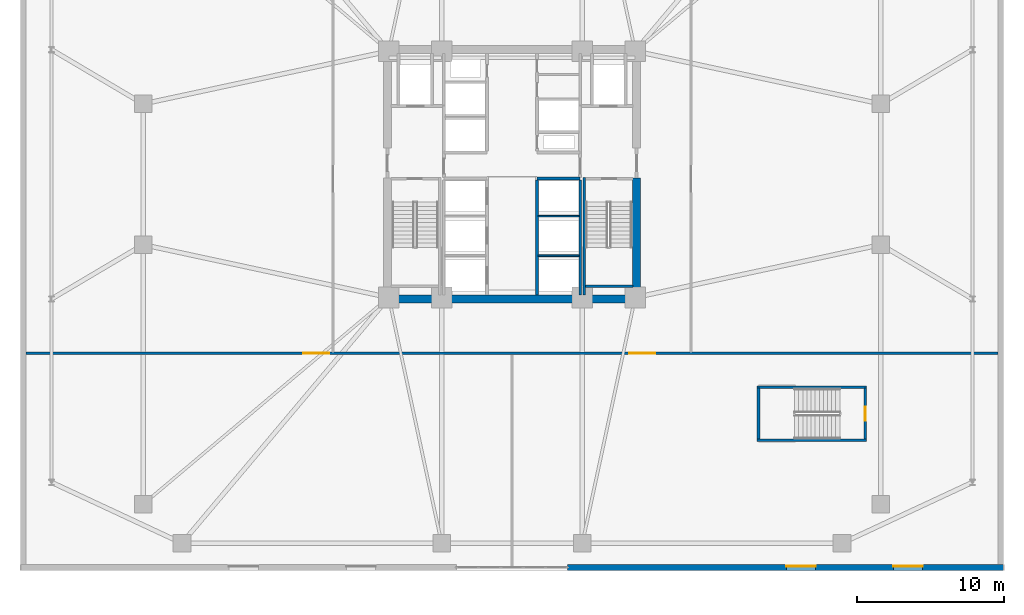
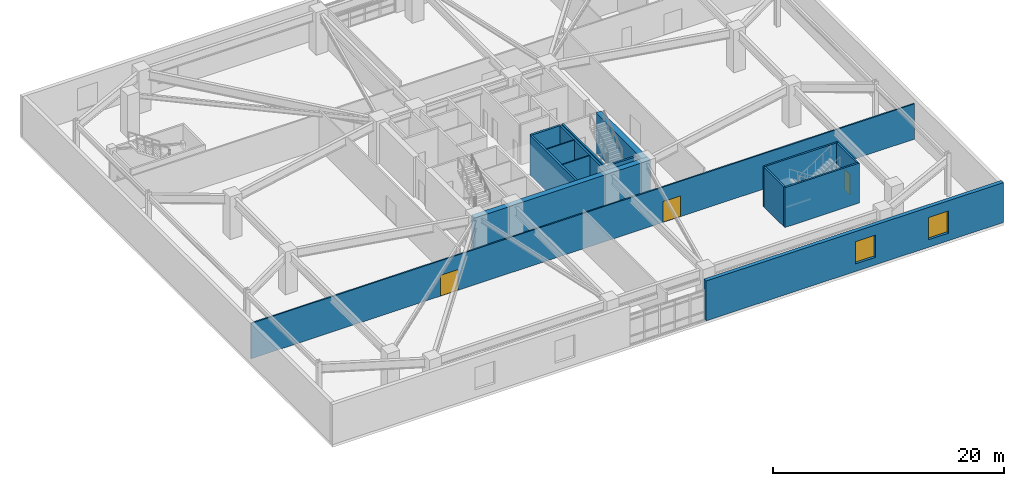
# One storey, part 12 of 21: 15 walls, 3 doors, 2 windows, 5 openings.
"""IFC4 building model written with IfcOpenShell, lengths in metres."""

from ifc_helpers import new_model, si_unit, direction, frame, frame_2d, origin, place, context, subcontext, project, spatial, rectangle, extrude, material, layer, layer_set, type_object, element, fill, save


model = new_model("IFC4")

# Units and contexts
model_context = context("Model", 3, precision=1e-05, world=origin(), true_north=direction((0.0, 1.0)))
body_context = subcontext(model_context, "Body", "Model", "MODEL_VIEW")
ifc_project = project(units=[si_unit("LENGTHUNIT", "METRE"), si_unit("AREAUNIT", "SQUARE_METRE"), si_unit("VOLUMEUNIT", "CUBIC_METRE"), si_unit("PLANEANGLEUNIT", "RADIAN"), si_unit("MASSUNIT", "GRAM", prefix="KILO")], contexts=[model_context])

# Site, building, storey
site_placement = place(None, origin())
site = spatial("IfcSite", under=ifc_project, at=site_placement, CompositionType="ELEMENT")
building_placement = place(site_placement, origin())
building = spatial("IfcBuilding", under=site, at=building_placement, Name="Cairnveth Concourse Tower", CompositionType="ELEMENT")
storey_placement = place(building_placement, frame((0.0, 0.0, 10.0)))
storey = spatial("IfcBuildingStorey", under=building, at=storey_placement, Name="L02", CompositionType="ELEMENT", Elevation=10.0)

# Walls
ifc_material_1 = material(Name="Concrete N80 (80 MPa)", Category="concrete")
ifc_layer_1 = layer(ifc_material_1, 0.550048828125)
ifc_layer_set_1 = layer_set([ifc_layer_1], Name="Concrete N80 (80 MPa)")
wall_type_1 = type_object("IfcWallType", Name="CORE SHEAR WALL 550", PredefinedType="SHEAR", material=ifc_layer_set_1)
wall_1_placement = place(storey_placement, frame((43.22509765625, 30.5, 0.0), z_axis=(0.0, 0.0, 1.0), x_axis=(1.0, 0.0, 0.0)))
element("IfcWall", 1, at=wall_1_placement, inside=storey, type_object=wall_type_1, Name="Core South Shear Wall L02", PredefinedType="SHEAR", context=body_context, shape_type="SweptSolid", body=[
    extrude(rectangle(XDim=17.5498046875, YDim=0.550048828125, at=frame_2d((8.77490234375, 0.0))), origin(), (0.0, 0.0, 1.0), 4.219970703125),
])
wall_2_placement = place(storey_placement, frame((60.5, 30.764892578125, 0.0), z_axis=(0.0, 0.0, 1.0), x_axis=(0.0, 1.0, 0.0)))
element("IfcWall", 2, at=wall_2_placement, inside=storey, type_object=wall_type_1, Name="Core East Shear Wall S L02", PredefinedType="SHEAR", context=body_context, shape_type="SweptSolid", body=[
    extrude(rectangle(XDim=7.985107421875, YDim=0.550048828125, at=frame_2d((3.99267578125, 0.0))), origin(), (0.0, 0.0, 1.0), 4.219970703125),
])
ifc_material_2 = material(Name="Concrete N50 (50 MPa)", Category="concrete")
ifc_layer_2 = layer(ifc_material_2, 0.179931640625)
ifc_layer_set_2 = layer_set([ifc_layer_2], Name="Concrete N50 (50 MPa)")
wall_type_2 = type_object("IfcWallType", Name="FIRE SHAFT WALL 180", PredefinedType="SOLIDWALL", material=ifc_layer_set_2)
wall_3_placement = place(storey_placement, frame((56.64990234375, 30.760009765625, 0.0), z_axis=(0.0, 0.0, 1.0), x_axis=(0.0, 1.0, 0.0)))
element("IfcWall", 3, at=wall_3_placement, inside=storey, type_object=wall_type_2, Name="Interior Wall IW-L02-028", PredefinedType="SOLIDWALL", context=body_context, shape_type="SweptSolid", body=[
    extrude(rectangle(XDim=7.85498046875, YDim=0.179931640625, at=frame_2d((3.927490234375, 0.0))), origin(), (0.0, 0.0, 1.0), 4.219970703125),
])
wall_4_placement = place(storey_placement, frame((57.0048828125, 31.360107421875, 0.0), z_axis=(0.0, 0.0, 1.0), x_axis=(1.0, 0.0, 0.0)))
element("IfcWall", 4, at=wall_4_placement, inside=storey, type_object=wall_type_2, Name="Stair ST-2 Shaft Wall FAR L02", PredefinedType="SOLIDWALL", context=body_context, shape_type="SweptSolid", body=[
    extrude(rectangle(XDim=3.230224609375, YDim=0.179931640625, at=frame_2d((1.615234375, 0.0))), origin(), (0.0, 0.0, 1.0), 4.219970703125),
])
wall_5_placement = place(storey_placement, frame((56.929931640625, 38.780029296875, 0.0), z_axis=(0.0, 0.0, 1.0), x_axis=(0.0, -1.0, 0.0)))
element("IfcWall", 5, at=wall_5_placement, inside=storey, type_object=wall_type_2, Name="Stair ST-2 Shaft Wall LEFT L02", PredefinedType="SOLIDWALL", context=body_context, shape_type="SweptSolid", body=[
    extrude(rectangle(XDim=8.01708984375, YDim=0.179931640625, at=frame_2d((4.008544921875, 0.0))), origin(), (0.0, 0.0, 1.0), 4.219970703125),
])

# Wall, opening, door
wall_6_placement = place(storey_placement, frame((76.090087890625, 24.4150390625, 0.0), z_axis=(0.0, 0.0, 1.0), x_axis=(0.0, -1.0, 0.0)))
wall_6 = element("IfcWall", 6, at=wall_6_placement, inside=storey, type_object=wall_type_2, Name="Stair ST-P2 Shaft Wall NEAR L02", PredefinedType="SOLIDWALL", context=body_context, shape_type="SweptSolid", body=[
    extrude(rectangle(XDim=3.469970703125, YDim=0.179931640625, at=frame_2d((1.73486328125, 0.0))), origin(), (0.0, 0.0, 1.0), 4.219970703125),
])
opening_1_placement = place(wall_6_placement, frame((1.260009765625, 0.0, 0.0)))
opening_1 = element("IfcOpeningElement", 7, at=opening_1_placement, cuts=wall_6, Name="Opening ID12", PredefinedType="OPENING", context=body_context, shape_type="SweptSolid", body=[
    extrude(rectangle(XDim=0.949951171875, YDim=2.14990234375, at=frame_2d((0.47509765625, 1.074951171875))), frame((0.0, 0.099853515625, 0.0), z_axis=(0.0, -1.0, 0.0), x_axis=(1.0, 0.0, 0.0)), (0.0, 0.0, 1.0), 0.199951171875),
])
ifc_material_3 = material(Name="Steel Grade 350", Category="steel")
door_type_1 = type_object("IfcDoorType", Name="FIRE STAIR DOOR 950X2150", OperationType="NOTDEFINED", PredefinedType="DOOR", material=ifc_material_3)
door_1_placement = place(opening_1_placement, origin())
door_1 = element("IfcDoor", 8, at=door_1_placement, inside=storey, type_object=door_type_1, Name="Stair ST-P2 Fire Door L02", OperationType="SINGLE_SWING_RIGHT", OverallHeight=2.14990234375, OverallWidth=0.949951171875, PredefinedType="DOOR", context=body_context, shape_type="SweptSolid", body=[
    extrude(rectangle(XDim=0.949951171875, YDim=2.14990234375, at=frame_2d((0.47509765625, 1.074951171875))), frame((0.0, 0.02490234375, 0.0), z_axis=(0.0, -1.0, 0.0), x_axis=(1.0, 0.0, 0.0)), (0.0, 0.0, 1.0), 0.050048828125),
])
fill(opening_1, door_1)

# Walls
wall_7_placement = place(storey_placement, frame((68.81005859375, 24.4150390625, 0.0), z_axis=(0.0, 0.0, 1.0), x_axis=(0.0, -1.0, 0.0)))
element("IfcWall", 9, at=wall_7_placement, inside=storey, type_object=wall_type_2, Name="Stair ST-P2 Shaft Wall FAR L02", PredefinedType="SOLIDWALL", context=body_context, shape_type="SweptSolid", body=[
    extrude(rectangle(XDim=3.469970703125, YDim=0.179931640625, at=frame_2d((1.73486328125, 0.0))), origin(), (0.0, 0.0, 1.0), 4.219970703125),
])
for number, where, z_axis, x_axis, name in (
    (10, (76.179931640625, 24.489990234375, 0.0), (0.0, 0.0, 1.0), (-1.0, 0.0, 0.0), "Stair ST-P2 Shaft Wall LEFT L02"),
    (11, (76.179931640625, 20.8701171875, 0.0), (0.0, 0.0, 1.0), (-1.0, 0.0, 0.0), "Stair ST-P2 Shaft Wall RGHT L02"),
):
    element("IfcWall", number, at=place(storey_placement, frame(where, z_axis=z_axis, x_axis=x_axis)), inside=storey, type_object=wall_type_2, Name=name, PredefinedType="SOLIDWALL", context=body_context, shape_type="SweptSolid", body=[
        extrude(rectangle(XDim=7.4599609375, YDim=0.179931640625, at=frame_2d((3.72998046875, 0.0))), origin(), (0.0, 0.0, 1.0), 4.219970703125),
    ])
ifc_layer_3 = layer(ifc_material_2, 0.199951171875)
ifc_layer_set_3 = layer_set([ifc_layer_3], Name="Concrete N50 (50 MPa)")
wall_type_3 = type_object("IfcWallType", Name="FIRE SHAFT WALL 200", PredefinedType="SOLIDWALL", material=ifc_layer_set_3)
wall_8_placement = place(storey_placement, frame((53.699951171875, 38.699951171875, 0.0), z_axis=(0.0, 0.0, 1.0), x_axis=(1.0, 0.0, 0.0)))
element("IfcWall", 12, at=wall_8_placement, inside=storey, type_object=wall_type_3, Name="Interior Wall IW-L02-009", PredefinedType="SOLIDWALL", context=body_context, shape_type="SweptSolid", body=[
    extrude(rectangle(XDim=2.949951171875, YDim=0.199951171875, at=frame_2d((1.47509765625, 0.0))), origin(), (0.0, 0.0, 1.0), 4.219970703125),
])
wall_9_placement = place(storey_placement, frame((53.699951171875, 30.760009765625, 0.0), z_axis=(0.0, 0.0, 1.0), x_axis=(0.0, 1.0, 0.0)))
element("IfcWall", 13, at=wall_9_placement, inside=storey, type_object=wall_type_3, Name="Interior Wall IW-L02-012", PredefinedType="SOLIDWALL", context=body_context, shape_type="SweptSolid", body=[
    extrude(rectangle(XDim=7.85498046875, YDim=0.199951171875, at=frame_2d((3.927490234375, 0.0))), origin(), (0.0, 0.0, 1.0), 4.219970703125),
])

# Wall, openings, doors
ifc_material_4 = material(Name="Gypsum Plasterboard Partition", Category="gypsum")
ifc_layer_4 = layer(ifc_material_4, 0.139892578125)
ifc_layer_set_4 = layer_set([ifc_layer_4], Name="Gypsum Plasterboard Partition")
wall_type_4 = type_object("IfcWallType", Name="GYPSUM STUD PARTITION 140", PredefinedType="PARTITIONING", material=ifc_layer_set_4)
wall_10_placement = place(storey_placement, frame((18.864990234375, 26.800048828125, 0.0), z_axis=(0.0, 0.0, 1.0), x_axis=(1.0, 0.0, 0.0)))
wall_10 = element("IfcWall", 14, at=wall_10_placement, inside=storey, type_object=wall_type_4, Name="Interior Wall IW-L02-038", PredefinedType="PARTITIONING", context=body_context, shape_type="SweptSolid", body=[
    extrude(rectangle(XDim=66.27001953125, YDim=0.139892578125, at=frame_2d((33.135009765625, 0.0))), origin(), (0.0, 0.0, 1.0), 3.738037109375),
])
opening_2_placement = place(wall_10_placement, frame((18.9150390625, 0.0, 0.0)))
opening_2 = element("IfcOpeningElement", 15, at=opening_2_placement, cuts=wall_10, Name="Opening ID27", PredefinedType="OPENING", context=body_context, shape_type="SweptSolid", body=[
    extrude(rectangle(XDim=1.760009765625, YDim=2.199951171875, at=frame_2d((0.8798828125, 1.10009765625))), frame((0.0, 0.079833984375, 0.0), z_axis=(0.0, -1.0, 0.0), x_axis=(1.0, 0.0, 0.0)), (0.0, 0.0, 1.0), 0.159912109375),
])
opening_3_placement = place(wall_10_placement, frame((41.135009765625, 0.0, 0.0)))
opening_3 = element("IfcOpeningElement", 16, at=opening_3_placement, cuts=wall_10, Name="Opening ID27", PredefinedType="OPENING", context=body_context, shape_type="SweptSolid", body=[
    extrude(rectangle(XDim=1.760009765625, YDim=2.199951171875, at=frame_2d((0.8798828125, 1.10009765625))), frame((0.0, 0.079833984375, 0.0), z_axis=(0.0, -1.0, 0.0), x_axis=(1.0, 0.0, 0.0)), (0.0, 0.0, 1.0), 0.159912109375),
])
ifc_material_5 = material(Name="Solid Core Hardwood Timber Leaf", Category="wood")
door_type_2 = type_object("IfcDoorType", Name="CONCOURSE DOUBLE DOOR 1760X2200", OperationType="DOUBLE_DOOR_SINGLE_SWING", PredefinedType="DOOR", material=ifc_material_5)
door_2_placement = place(opening_2_placement, origin())
door_2 = element("IfcDoor", 17, at=door_2_placement, inside=storey, type_object=door_type_2, Name="Interior Door DR-L02-014", OperationType="DOUBLE_DOOR_SINGLE_SWING", OverallHeight=2.199951171875, OverallWidth=1.760009765625, PredefinedType="DOOR", context=body_context, shape_type="SweptSolid", body=[
    extrude(rectangle(XDim=1.760009765625, YDim=2.199951171875, at=frame_2d((0.8798828125, 1.10009765625))), frame((0.0, 0.02490234375, 0.0), z_axis=(0.0, -1.0, 0.0), x_axis=(1.0, 0.0, 0.0)), (0.0, 0.0, 1.0), 0.050048828125),
])
fill(opening_2, door_2)
door_3_placement = place(opening_3_placement, origin())
door_3 = element("IfcDoor", 18, at=door_3_placement, inside=storey, type_object=door_type_2, Name="Interior Door DR-L02-015", OperationType="DOUBLE_DOOR_SINGLE_SWING", OverallHeight=2.199951171875, OverallWidth=1.760009765625, PredefinedType="DOOR", context=body_context, shape_type="SweptSolid", body=[
    extrude(rectangle(XDim=1.760009765625, YDim=2.199951171875, at=frame_2d((0.8798828125, 1.10009765625))), frame((0.0, 0.02490234375, 0.0), z_axis=(0.0, -1.0, 0.0), x_axis=(1.0, 0.0, 0.0)), (0.0, 0.0, 1.0), 0.050048828125),
])
fill(opening_3, door_3)

# Walls
ifc_layer_5 = layer(ifc_material_4, 0.110107421875)
ifc_layer_set_5 = layer_set([ifc_layer_5], Name="Gypsum Plasterboard Partition")
wall_type_5 = type_object("IfcWallType", Name="SHAFT DIVIDER WALL 140", PredefinedType="PARTITIONING", material=ifc_layer_set_5)
for number, where, z_axis, x_axis, name in (
    (19, (53.784912109375, 33.449951171875, 0.0), (0.0, 0.0, 1.0), (1.0, 0.0, 0.0), "Interior Wall IW-L02-029"),
    (20, (53.784912109375, 36.14990234375, 0.0), (0.0, 0.0, 1.0), (1.0, 0.0, 0.0), "Interior Wall IW-L02-030"),
):
    element("IfcWall", number, at=place(storey_placement, frame(where, z_axis=z_axis, x_axis=x_axis)), inside=storey, type_object=wall_type_5, Name=name, PredefinedType="PARTITIONING", context=body_context, shape_type="SweptSolid", body=[
        extrude(rectangle(XDim=2.7900390625, YDim=0.110107421875, at=frame_2d((1.39501953125, 0.0))), origin(), (0.0, 0.0, 1.0), 4.219970703125),
    ])

# Wall, openings, windows
ifc_material_6 = material(Name="Hawthorn Red-Ochre Fired Clay Brick Masonry", Category="masonry")
ifc_layer_6 = layer(ifc_material_6, 0.3798828125)
ifc_layer_set_6 = layer_set([ifc_layer_6], Name="Hawthorn Red-Ochre Fired Clay Brick Masonry")
wall_type_6 = type_object("IfcWallType", Name="UPPER PODIUM BRICK WALL 380", PredefinedType="SOLIDWALL", material=ifc_layer_set_6)
wall_11_placement = place(storey_placement, frame((85.5, 12.18994140625, 0.0), z_axis=(0.0, 0.0, 1.0), x_axis=(-1.0, 0.0, 0.0)))
wall_11 = element("IfcWall", 21, at=wall_11_placement, inside=storey, type_object=wall_type_6, Name="Exterior Wall EW-L02-SE", PredefinedType="SOLIDWALL", context=body_context, shape_type="SweptSolid", body=[
    extrude(rectangle(XDim=29.699951171875, YDim=0.3798828125, at=frame_2d((14.85009765625, 0.0))), origin(), (0.0, 0.0, 1.0), 4.219970703125),
])
opening_4_placement = place(wall_11_placement, frame((5.5, 0.0, 0.800048828125)))
opening_4 = element("IfcOpeningElement", 22, at=opening_4_placement, cuts=wall_11, Name="Opening W10", PredefinedType="OPENING", context=body_context, shape_type="SweptSolid", body=[
    extrude(rectangle(XDim=2.0, YDim=2.345947265625, at=frame_2d((1.0, 1.1728515625))), frame((0.0, 0.199951171875, 0.0), z_axis=(0.0, -1.0, 0.0), x_axis=(1.0, 0.0, 0.0)), (0.0, 0.0, 1.0), 0.39990234375),
])
opening_5_placement = place(wall_11_placement, frame((12.800048828125, 0.0, 0.800048828125)))
opening_5 = element("IfcOpeningElement", 23, at=opening_5_placement, cuts=wall_11, Name="Opening W10", PredefinedType="OPENING", context=body_context, shape_type="SweptSolid", body=[
    extrude(rectangle(XDim=2.0, YDim=2.345947265625, at=frame_2d((1.0, 1.1728515625))), frame((0.0, 0.199951171875, 0.0), z_axis=(0.0, -1.0, 0.0), x_axis=(1.0, 0.0, 0.0)), (0.0, 0.0, 1.0), 0.39990234375),
])
ifc_material_7 = material(Name="Double Glazed Low-E Clear Glass", Category="glass")
window_type = type_object("IfcWindowType", Name="DEEP-SET PODIUM ARCHED WINDOW 2000X2400", PartitioningType="DOUBLE_PANEL_VERTICAL", PredefinedType="WINDOW", material=ifc_material_7)
window_1_placement = place(opening_4_placement, origin())
window_1 = element("IfcWindow", 24, at=window_1_placement, inside=storey, type_object=window_type, Name="WIN-L02-SE-1", OverallHeight=2.345947265625, OverallWidth=2.0, PartitioningType="SINGLE_PANEL", PredefinedType="WINDOW", context=body_context, shape_type="SweptSolid", body=[
    extrude(rectangle(XDim=2.0, YDim=2.345947265625, at=frame_2d((1.0, 1.1728515625))), frame((0.0, -0.050048828125, 0.0), z_axis=(0.0, -1.0, 0.0), x_axis=(1.0, 0.0, 0.0)), (0.0, 0.0, 1.0), 0.06005859375),
])
fill(opening_4, window_1)
window_2_placement = place(opening_5_placement, origin())
window_2 = element("IfcWindow", 25, at=window_2_placement, inside=storey, type_object=window_type, Name="WIN-L02-SE-2", OverallHeight=2.345947265625, OverallWidth=2.0, PartitioningType="SINGLE_PANEL", PredefinedType="WINDOW", context=body_context, shape_type="SweptSolid", body=[
    extrude(rectangle(XDim=2.0, YDim=2.345947265625, at=frame_2d((1.0, 1.1728515625))), frame((0.0, -0.050048828125, 0.0), z_axis=(0.0, -1.0, 0.0), x_axis=(1.0, 0.0, 0.0)), (0.0, 0.0, 1.0), 0.06005859375),
])
fill(opening_5, window_2)

save(model, "model.ifc")
